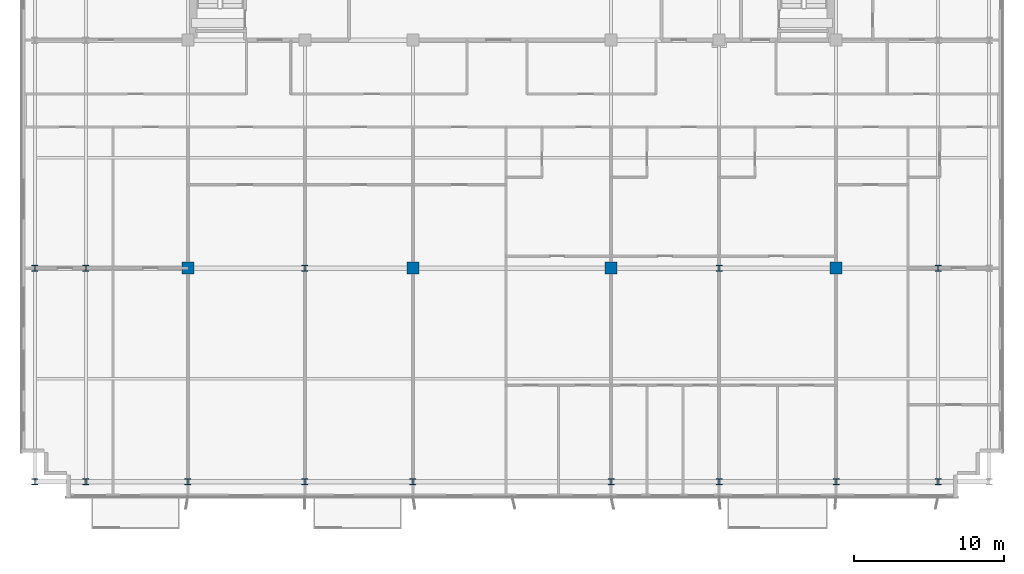
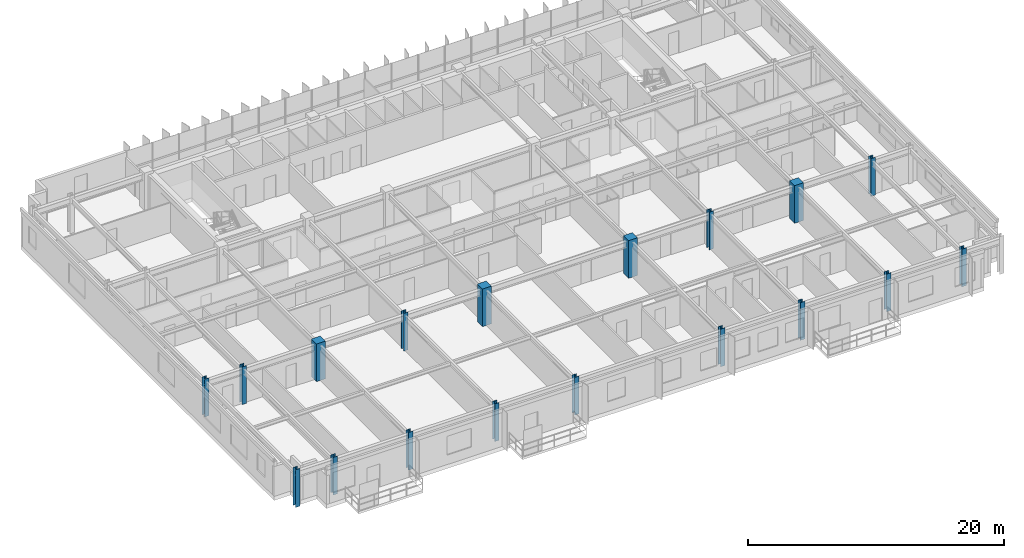
# One storey, part 1 of 22: 18 columns.
"""IFC4 building model written with IfcOpenShell, lengths in metres."""

from ifc_helpers import new_model, si_unit, direction, frame, origin, origin_2d, place, context, subcontext, project, spatial, rectangle, i_section, extrude, source, transform, mapped, material, material_profile, profile_set, type_object, element, save


model = new_model("IFC4")

# Units and contexts
model_context = context("Model", 3, precision=1e-05, world=origin(), true_north=direction((0.0, 1.0)))
body_context = subcontext(model_context, "Body", "Model", "MODEL_VIEW")
ifc_project = project(units=[si_unit("LENGTHUNIT", "METRE"), si_unit("AREAUNIT", "SQUARE_METRE"), si_unit("VOLUMEUNIT", "CUBIC_METRE"), si_unit("PLANEANGLEUNIT", "RADIAN"), si_unit("MASSUNIT", "GRAM", prefix="KILO")], contexts=[model_context])

# Site, building, storey
site_placement = place(None, origin())
site = spatial("IfcSite", under=ifc_project, at=site_placement, CompositionType="ELEMENT")
building_placement = place(site_placement, origin())
building = spatial("IfcBuilding", under=site, at=building_placement, Name="Trelvane Seafront Commons", CompositionType="ELEMENT")
storey_placement = place(building_placement, frame((0.0, 0.0, 81.699951171875)))
storey = spatial("IfcBuildingStorey", under=building, at=storey_placement, Name="L20", CompositionType="ELEMENT", Elevation=81.699951171875)

# Columns
ifc_material_1 = material(Name="Steel SM355 (S355)", Category="steel")
ifc_material_profile_1 = material_profile(ifc_material_1, i_section(OverallWidth=0.39990234375, OverallDepth=0.39990234375, WebThickness=0.02197265625, FlangeThickness=0.034912109375, at=origin_2d()), Name="HD-400x400x22x35")
ifc_profile_set_1 = profile_set([ifc_material_profile_1], Name="Steel SM355 (S355)")
column_type_1 = type_object("IfcColumnType", Name="STR-COL-HD400", PredefinedType="COLUMN", material=ifc_profile_set_1)
shared_shape_1 = source(origin(), body_context, "Body", "SweptSolid", [
    extrude(i_section(OverallWidth=0.39990234375, OverallDepth=0.39990234375, WebThickness=0.02197265625, FlangeThickness=0.034912109375, at=origin_2d()), origin(), (0.0, 0.0, 1.0), 3.60009765625),
])
for number, where, z_axis, x_axis, name in (
    (1, (5.39990234375, 3.949951171875, 0.0), (0.0, 0.0, 1.0), (1.0, 0.0, 0.0), "L20 Column TC-S5.4"),
    (2, (5.39990234375, 18.199951171875, 0.0), (0.0, 0.0, 1.0), (1.0, 0.0, 0.0), "L20 Column TC-M5.4"),
    (3, (8.800048828125, 3.949951171875, 0.0), (0.0, 0.0, 1.0), (1.0, 0.0, 0.0), "L20 Column TC-S8.8"),
    (4, (8.800048828125, 18.199951171875, 0.0), (0.0, 0.0, 1.0), (1.0, 0.0, 0.0), "L20 Column TC-M8.8"),
    (5, (15.60009765625, 3.949951171875, 0.0), (0.0, 0.0, 1.0), (1.0, 0.0, 0.0), "L20 Column TC-S15.6"),
    (6, (23.39990234375, 3.949951171875, 0.0), (0.0, 0.0, 1.0), (1.0, 0.0, 0.0), "L20 Column TC-S23.4"),
    (7, (23.39990234375, 18.199951171875, 0.0), (0.0, 0.0, 1.0), (1.0, 0.0, 0.0), "L20 Column TC-M23.4"),
    (8, (30.60009765625, 3.949951171875, 0.0), (0.0, 0.0, 1.0), (1.0, 0.0, 0.0), "L20 Column TC-S30.6"),
    (9, (43.800048828125, 3.949951171875, 0.0), (0.0, 0.0, 1.0), (1.0, 0.0, 0.0), "L20 Column TC-S43.8"),
    (10, (51.0, 3.949951171875, 0.0), (0.0, 0.0, 1.0), (1.0, 0.0, 0.0), "L20 Column TC-S51.0"),
    (11, (51.0, 18.199951171875, 0.0), (0.0, 0.0, 1.0), (1.0, 0.0, 0.0), "L20 Column TC-M51.0"),
    (12, (58.800048828125, 3.949951171875, 0.0), (0.0, 0.0, 1.0), (1.0, 0.0, 0.0), "L20 Column TC-S58.8"),
    (13, (65.60009765625, 3.949951171875, 0.0), (0.0, 0.0, 1.0), (1.0, 0.0, 0.0), "L20 Column TC-S65.6"),
    (14, (65.60009765625, 18.199951171875, 0.0), (0.0, 0.0, 1.0), (1.0, 0.0, 0.0), "L20 Column TC-M65.6"),
):
    element("IfcColumn", number, at=place(storey_placement, frame(where, z_axis=z_axis, x_axis=x_axis)), inside=storey, type_object=column_type_1, Name=name, PredefinedType="COLUMN", context=body_context, shape_type="MappedRepresentation", body=[
        mapped(shared_shape_1, transform((0.0, 0.0, 0.0), x_axis=(1.0, 0.0, 0.0), y_axis=(0.0, 1.0, 0.0), z_axis=(0.0, 0.0, 1.0), scale=1.0)),
    ])
ifc_material_2 = material(Name="Concrete C60/75", Category="concrete")
ifc_material_profile_2 = material_profile(ifc_material_2, rectangle(XDim=0.800048828125, YDim=0.800048828125, at=origin_2d()), Name="RC-800x800")
ifc_profile_set_2 = profile_set([ifc_material_profile_2], Name="Concrete C60/75")
column_type_2 = type_object("IfcColumnType", Name="STR-COL-RC800", PredefinedType="COLUMN", material=ifc_profile_set_2)
shared_shape_2 = source(origin(), body_context, "Body", "SweptSolid", [
    extrude(rectangle(XDim=0.800048828125, YDim=0.800048828125, at=origin_2d()), origin(), (0.0, 0.0, 1.0), 3.60009765625),
])
for number, where, z_axis, x_axis, name in (
    (15, (15.60009765625, 18.199951171875, 0.0), (0.0, 0.0, 1.0), (1.0, 0.0, 0.0), "L20 Column TC-M15.6"),
    (16, (30.60009765625, 18.199951171875, 0.0), (0.0, 0.0, 1.0), (1.0, 0.0, 0.0), "L20 Column TC-M30.6"),
    (17, (43.800048828125, 18.199951171875, 0.0), (0.0, 0.0, 1.0), (1.0, 0.0, 0.0), "L20 Column TC-M43.8"),
    (18, (58.800048828125, 18.199951171875, 0.0), (0.0, 0.0, 1.0), (1.0, 0.0, 0.0), "L20 Column TC-M58.8"),
):
    element("IfcColumn", number, at=place(storey_placement, frame(where, z_axis=z_axis, x_axis=x_axis)), inside=storey, type_object=column_type_2, Name=name, PredefinedType="COLUMN", context=body_context, shape_type="MappedRepresentation", body=[
        mapped(shared_shape_2, transform((0.0, 0.0, 0.0), x_axis=(1.0, 0.0, 0.0), y_axis=(0.0, 1.0, 0.0), z_axis=(0.0, 0.0, 1.0), scale=1.0)),
    ])

save(model, "model.ifc")
